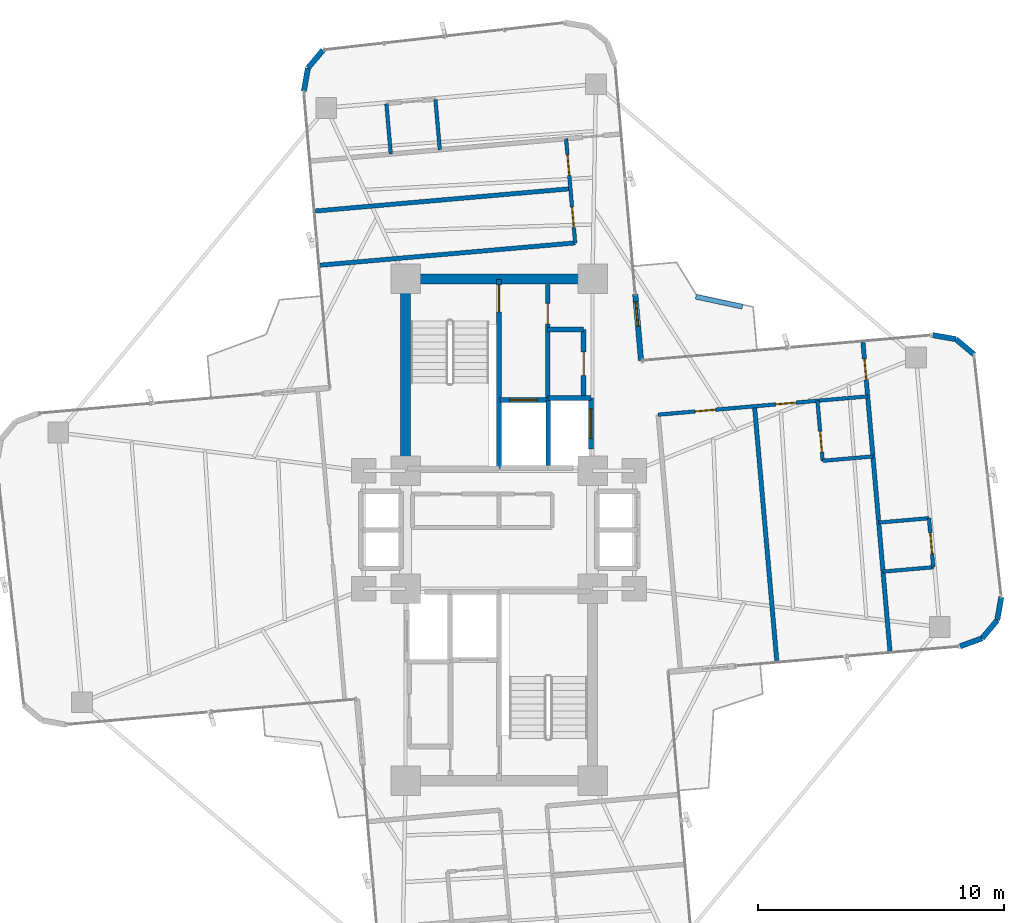
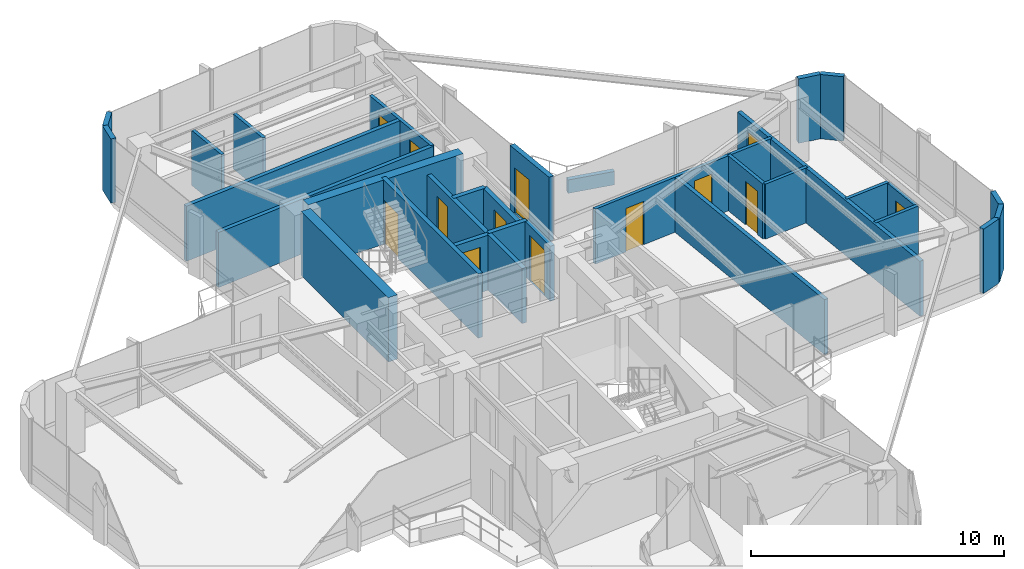
# One storey, part 22 of 24: 32 walls, 13 doors, 13 openings.
"""IFC4 building model written with IfcOpenShell, lengths in metres."""

import ifcopenshell
import ifcopenshell.guid

model = None  # the IFC model being written
_history = None  # IfcOwnerHistory: only IFC2X3 demands one
_inside = {}  # id of a spatial element -> (the spatial element, [elements in it])
_under = {}  # id of a project, library or spatial element -> (it, [spatial elements below it])
_declared = {}  # id of a project -> (the project, [libraries it declares])
_typed = {}  # id of a type object -> (the type object, [elements of that type])
_made_of = {}  # id of a material, layer set ... -> (it, [elements and type objects made of it])


def new_model(schema):
    """Start an empty IFC model of exactly this schema.

    Asked for "IFC4X3", IfcOpenShell would pick the latest addendum, in which some entities
    have other attributes; the version numbers below select the first issue.
    IFC2X3 requires an IfcOwnerHistory on every rooted entity: one is made here for all.
    """
    global model, _history
    if schema == "IFC4X3":
        model = ifcopenshell.file(schema_version=(4, 3, 0, 0))
    else:
        model = ifcopenshell.file(schema=schema)
    _inside.clear()
    _under.clear()
    _declared.clear()
    _typed.clear()
    _made_of.clear()
    _history = None
    if model.schema == "IFC2X3":
        org = make("IfcOrganization", Name="unknown")
        user = make(
            "IfcPersonAndOrganization",
            ThePerson=make("IfcPerson", FamilyName="unknown"),
            TheOrganization=org,
        )
        app = make(
            "IfcApplication",
            ApplicationDeveloper=org,
            Version="unknown",
            ApplicationFullName="unknown",
            ApplicationIdentifier="unknown",
        )
        _history = make(
            "IfcOwnerHistory",
            OwningUser=user,
            OwningApplication=app,
            ChangeAction="ADDED",
            CreationDate=0,
        )
    return model


def make(cls, **values):
    """One entity of the class cls with the attributes given. An attribute that is None is left unset."""
    return model.create_entity(
        cls, **{name: value for name, value in values.items() if value is not None}
    )


def rooted(cls, **values):
    """An entity with a GlobalId (a new one), such as an element, a storey or a relation."""
    return make(cls, GlobalId=ifcopenshell.guid.new(), OwnerHistory=_history, **values)


def si_unit(unit_type, name, prefix=None):
    """IfcSIUnit, for example si_unit("LENGTHUNIT", "METRE", prefix="MILLI")."""
    return make("IfcSIUnit", UnitType=unit_type, Prefix=prefix, Name=name)


def assignment(units):
    """IfcUnitAssignment: the units of a project."""
    return None if units is None else make("IfcUnitAssignment", Units=units)


def point(xyz):
    """IfcCartesianPoint."""
    return None if xyz is None else make("IfcCartesianPoint", Coordinates=xyz)


def direction(xyz):
    """IfcDirection."""
    return None if xyz is None else make("IfcDirection", DirectionRatios=xyz)


def frame(location, z_axis=None, x_axis=None):
    """IfcAxis2Placement3D, a coordinate frame: its origin and axes. An axis left out is left unset."""
    return make(
        "IfcAxis2Placement3D",
        Location=point(location),
        Axis=direction(z_axis),
        RefDirection=direction(x_axis),
    )


def frame_2d(location, x_axis=None):
    """IfcAxis2Placement2D, a coordinate frame in the plane: its origin and x axis."""
    return make(
        "IfcAxis2Placement2D", Location=point(location), RefDirection=direction(x_axis)
    )


def origin():
    """The frame at (0, 0, 0) with its axes left unset."""
    return frame((0.0, 0.0, 0.0))


def origin_2d():
    """The frame at (0, 0) in the plane with its x axis left unset."""
    return frame_2d((0.0, 0.0))


def place(relative_to, where):
    """IfcLocalPlacement: puts the frame where relative to a parent placement (None: the world)."""
    return make(
        "IfcLocalPlacement", PlacementRelTo=relative_to, RelativePlacement=where
    )


def context(
    kind, dimensions, precision=None, world=None, true_north=None, identifier=None
):
    """IfcGeometricRepresentationContext, for example the 3D "Model" context."""
    return make(
        "IfcGeometricRepresentationContext",
        ContextIdentifier=identifier,
        ContextType=kind,
        CoordinateSpaceDimension=dimensions,
        Precision=precision,
        WorldCoordinateSystem=world,
        TrueNorth=true_north,
    )


def subcontext(parent, identifier, kind, view, scale=None):
    """IfcGeometricRepresentationSubContext, for example "Body" below "Model"."""
    return make(
        "IfcGeometricRepresentationSubContext",
        ContextIdentifier=identifier,
        ContextType=kind,
        ParentContext=parent,
        TargetScale=scale,
        TargetView=view,
    )


def project(units=None, contexts=None):
    """IfcProject with its units and contexts."""
    return rooted(
        "IfcProject",
        Name="project",
        RepresentationContexts=contexts,
        UnitsInContext=assignment(units),
    )


def spatial(cls, under=None, at=None, **own):
    """A site, building, storey or space (cls), placed at a placement, below another one or the project."""
    s = rooted(cls, ObjectPlacement=at, **own)
    if under is not None:
        _under.setdefault(under.id(), (under, []))[1].append(s)
    return s


def profile(cls, at=None, kind="AREA", **sizes):
    """A parametric profile (cls). Its sizes go by their IFC names, for example OverallWidth=200.0."""
    return make(cls, ProfileType=kind, Position=at, **sizes)


def rectangle(**sizes):
    """IfcRectangleProfileDef."""
    return profile("IfcRectangleProfileDef", **sizes)


def extrude(swept, where, along, depth):
    """IfcExtrudedAreaSolid: the profile swept, set in the frame where, extruded along a direction by depth."""
    return make(
        "IfcExtrudedAreaSolid",
        SweptArea=swept,
        Position=where,
        ExtrudedDirection=direction(along),
        Depth=depth,
    )


def shape(context_of_items, identifier, shape_type, items):
    """IfcShapeRepresentation: the items that make up one representation, for example the "Body"."""
    return make(
        "IfcShapeRepresentation",
        ContextOfItems=context_of_items,
        RepresentationIdentifier=identifier,
        RepresentationType=shape_type,
        Items=items,
    )


def source(mapping_origin, context_of_items, identifier, shape_type, items):
    """IfcRepresentationMap: a shape defined once, which mapped items show again and again."""
    return make(
        "IfcRepresentationMap",
        MappingOrigin=mapping_origin,
        MappedRepresentation=shape(context_of_items, identifier, shape_type, items),
    )


def transform(
    local_origin,
    x_axis=None,
    y_axis=None,
    z_axis=None,
    scale=None,
    scale2=None,
    scale3=None,
    uniform=True,
):
    """IfcCartesianTransformationOperator3D, or its non-uniform kind. x_axis, y_axis, z_axis: its Axis1, 2, 3."""
    if uniform:
        return make(
            "IfcCartesianTransformationOperator3D",
            Axis1=direction(x_axis),
            Axis2=direction(y_axis),
            LocalOrigin=point(local_origin),
            Scale=scale,
            Axis3=direction(z_axis),
        )
    return make(
        "IfcCartesianTransformationOperator3DnonUniform",
        Axis1=direction(x_axis),
        Axis2=direction(y_axis),
        LocalOrigin=point(local_origin),
        Scale=scale,
        Axis3=direction(z_axis),
        Scale2=scale2,
        Scale3=scale3,
    )


def mapped(mapping_source, mapping_target):
    """IfcMappedItem: shows the shape of a source again, moved by a transform."""
    return make(
        "IfcMappedItem", MappingSource=mapping_source, MappingTarget=mapping_target
    )


def material(Name=None, Category=None):
    """IfcMaterial."""
    return make("IfcMaterial", Name=Name, Category=Category)


def layer(
    of_material, thickness, ventilated=None, Name=None, Category=None, Priority=None
):
    """IfcMaterialLayer: one layer of a wall or slab, of a material (None: an air gap)."""
    return make(
        "IfcMaterialLayer",
        Material=of_material,
        LayerThickness=thickness,
        IsVentilated=ventilated,
        Name=Name,
        Category=Category,
        Priority=Priority,
    )


def layer_set(layers, Name=None):
    """IfcMaterialLayerSet."""
    return make("IfcMaterialLayerSet", MaterialLayers=layers, LayerSetName=Name)


def made_of(thing, what):
    """Note that an element or type object is made of a material, layer set ...; save() writes the relation."""
    if what is not None:
        _made_of.setdefault(what.id(), (what, []))[1].append(thing)
    return thing


def type_object(cls, material=None, **own):
    """A type object (cls), such as IfcWallType, which elements share."""
    return made_of(rooted(cls, **own), material)


def element(
    cls,
    number,
    at=None,
    inside=None,
    cuts=None,
    type_object=None,
    material=None,
    context=None,
    identifier="Body",
    shape_type=None,
    held_by="IfcProductDefinitionShape",
    body=None,
    shapes=None,
    **own,
):
    """One element of the class cls, such as IfcWall. Its Tag is "e" and its number.

    at: its placement. inside: the storey or other place that contains it. cuts: it is an
    opening in that element (IfcRelVoidsElement). A single representation is given by context,
    identifier, shape_type and body (its items); several are given by shapes. held_by: the class
    of the entity that holds the representations. save() writes the other relations.
    """
    e = rooted(cls, Tag="e%d" % number, ObjectPlacement=at, **own)
    if body is not None:
        shapes = [shape(context, identifier, shape_type, body)]
    if shapes is not None:
        e.Representation = make(held_by, Representations=shapes)
    if inside is not None:
        _inside.setdefault(inside.id(), (inside, []))[1].append(e)
    if cuts is not None:
        rooted(
            "IfcRelVoidsElement", RelatingBuildingElement=cuts, RelatedOpeningElement=e
        )
    if type_object is not None:
        _typed.setdefault(type_object.id(), (type_object, []))[1].append(e)
    return made_of(e, material)


def fill(opening, filler):
    """IfcRelFillsElement: the door or window that sits in an opening."""
    return rooted(
        "IfcRelFillsElement",
        RelatingOpeningElement=opening,
        RelatedBuildingElement=filler,
    )


def aggregate(whole, parts):
    """IfcRelAggregates: a whole, such as a stair, and the parts it consists of."""
    return rooted("IfcRelAggregates", RelatingObject=whole, RelatedObjects=parts)


def save(model, path):
    """Write the relations noted so far, then the file.

    IfcRelAggregates (storeys below a building ...), IfcRelContainedInSpatialStructure (elements
    in a storey), IfcRelDefinesByType, IfcRelAssociatesMaterial and IfcRelDeclares: one each for
    every whole, place, type object, material and project.
    """
    for whole, parts in _under.values():
        aggregate(whole, parts)
    for where, things in _inside.values():
        rooted(
            "IfcRelContainedInSpatialStructure",
            RelatedElements=things,
            RelatingStructure=where,
        )
    for kind, things in _typed.values():
        rooted("IfcRelDefinesByType", RelatedObjects=things, RelatingType=kind)
    for what, things in _made_of.values():
        rooted("IfcRelAssociatesMaterial", RelatedObjects=things, RelatingMaterial=what)
    for by, libraries in _declared.values():
        rooted("IfcRelDeclares", RelatingContext=by, RelatedDefinitions=libraries)
    model.write(path)


model = new_model("IFC4")

# Units and contexts
model_context = context("Model", 3, precision=1e-05, world=origin(), true_north=direction((0.0, 1.0)))
body_context = subcontext(model_context, "Body", "Model", "MODEL_VIEW")
ifc_project = project(units=[si_unit("LENGTHUNIT", "METRE"), si_unit("AREAUNIT", "SQUARE_METRE"), si_unit("VOLUMEUNIT", "CUBIC_METRE"), si_unit("PLANEANGLEUNIT", "RADIAN"), si_unit("MASSUNIT", "GRAM", prefix="KILO")], contexts=[model_context])

# Site, building, storey
site_placement = place(None, origin())
site = spatial("IfcSite", under=ifc_project, at=site_placement, CompositionType="ELEMENT")
building_placement = place(site_placement, origin())
building = spatial("IfcBuilding", under=site, at=building_placement, Name="Sahyath Konkavel Grand Hotel", CompositionType="ELEMENT")
storey_placement = place(building_placement, frame((0.0, 0.0, 175.199951171875)))
storey = spatial("IfcBuildingStorey", under=building, at=storey_placement, Name="L48", CompositionType="ELEMENT", Elevation=175.199951171875)

# Walls
ifc_material_1 = material(Name="Concrete C50/60", Category="concrete")
ifc_layer_1 = layer(ifc_material_1, 0.419921875)
ifc_layer_set_1 = layer_set([ifc_layer_1], Name="Concrete C50/60")
wall_type_1 = type_object("IfcWallType", Name="CWALL-420", PredefinedType="SHEAR", material=ifc_layer_set_1)
wall_1_placement = place(storey_placement, frame((-3.550048828125, 10.199951171875, 0.0), z_axis=(0.0, 0.0, 1.0), x_axis=(1.0, 0.0, 0.0)))
element("IfcWall", 1, at=wall_1_placement, inside=storey, type_object=wall_type_1, Name="L48 North Core Shear Wall N", PredefinedType="SHEAR", context=body_context, shape_type="SweptSolid", body=[
    extrude(rectangle(XDim=7.10009765625, YDim=0.419921875, at=frame_2d((3.550048828125, 0.0))), origin(), (0.0, 0.0, 1.0), 3.110107421875),
])
wall_2_placement = place(storey_placement, frame((-3.800048828125, 2.85009765625, 0.0), z_axis=(0.0, 0.0, 1.0), x_axis=(0.0, 1.0, 0.0)))
element("IfcWall", 2, at=wall_2_placement, inside=storey, type_object=wall_type_1, Name="L48 North Core Shear Wall W", PredefinedType="SHEAR", context=body_context, shape_type="SweptSolid", body=[
    extrude(rectangle(XDim=6.89990234375, YDim=0.419921875, at=frame_2d((3.449951171875, 0.0))), origin(), (0.0, 0.0, 1.0), 3.110107421875),
])
ifc_material_2 = material(Name="Warm Buff Sandstone Insulated Concrete C40/50", Category="masonry")
ifc_layer_2 = layer(ifc_material_2, 0.219970703125)
ifc_layer_set_2 = layer_set([ifc_layer_2], Name="Warm Buff Sandstone Insulated Concrete C40/50")
wall_type_2 = type_object("IfcWallType", Name="WLL-BALC-THRESH", PredefinedType="STANDARD", material=ifc_layer_set_2)
wall_3_placement = place(storey_placement, frame((18.73388671875, -4.735107421875, 0.0), z_axis=(0.0, 0.0, 1.0), x_axis=(0.939741306239, 0.34188635151, 0.0)))
element("IfcWall", 3, at=wall_3_placement, inside=storey, type_object=wall_type_2, Name="L48 Rounded Corner Sandstone Pier 1", PredefinedType="STANDARD", context=body_context, shape_type="SweptSolid", body=[
    extrude(rectangle(XDim=0.95751953125, YDim=0.219970703125, at=frame_2d((0.478759765625, 0.0))), origin(), (0.0, 0.0, 1.0), 3.110107421875),
])
for number, where, z_axis, x_axis, name in (
    (4, (19.6337890625, -4.40771484375, 0.0), (0.0, 0.0, 1.0), (0.642863236823, 0.765980978054, 0.0), "L48 Rounded Corner Sandstone Pier 2"),
    (5, (20.24951171875, -3.674072265625, 0.0), (0.0, 0.0, 1.0), (0.173610811841, 0.984814340885, 0.0), "L48 Rounded Corner Sandstone Pier 3"),
):
    element("IfcWall", number, at=place(storey_placement, frame(where, z_axis=z_axis, x_axis=x_axis)), inside=storey, type_object=wall_type_2, Name=name, PredefinedType="STANDARD", context=body_context, shape_type="SweptSolid", body=[
        extrude(rectangle(XDim=0.957763671875, YDim=0.219970703125, at=frame_2d((0.47900390625, 0.0))), origin(), (0.0, 0.0, 1.0), 3.110107421875),
    ])
wall_4_placement = place(storey_placement, frame((19.3037109375, 7.134521484375, 0.0), z_axis=(0.0, 0.0, 1.0), x_axis=(-0.766001159887, 0.642839189107, 0.0)))
element("IfcWall", 6, at=wall_4_placement, inside=storey, type_object=wall_type_2, Name="L48 Rounded Corner Sandstone Pier 5", PredefinedType="STANDARD", context=body_context, shape_type="SweptSolid", body=[
    extrude(rectangle(XDim=0.95751953125, YDim=0.219970703125, at=frame_2d((0.478759765625, 0.0))), origin(), (0.0, 0.0, 1.0), 3.110107421875),
])
wall_5_placement = place(storey_placement, frame((18.5703125, 7.75, 0.0), z_axis=(0.0, 0.0, 1.0), x_axis=(-0.984770724397, 0.173858046606, 0.0)))
element("IfcWall", 7, at=wall_5_placement, inside=storey, type_object=wall_type_2, Name="L48 Rounded Corner Sandstone Pier 6", PredefinedType="STANDARD", context=body_context, shape_type="SweptSolid", body=[
    extrude(rectangle(XDim=0.957763671875, YDim=0.219970703125, at=frame_2d((0.47900390625, 0.0))), origin(), (0.0, 0.0, 1.0), 3.110107421875),
])

# Wall, opening, door
wall_6_placement = place(storey_placement, frame((5.7724609375, 6.87939453125, 0.0), z_axis=(0.0, 0.0, 1.0), x_axis=(-0.087168071984, 0.996193619346, 0.0)))
wall_6 = element("IfcWall", 8, at=wall_6_placement, inside=storey, type_object=wall_type_2, Name="L48 Winter-Garden Threshold Wall 8", PredefinedType="STANDARD", context=body_context, shape_type="SweptSolid", body=[
    extrude(rectangle(XDim=2.699951171875, YDim=0.219970703125, at=frame_2d((1.35009765625, 0.0))), origin(), (0.0, 0.0, 1.0), 3.110107421875),
])
opening_1_placement = place(wall_6_placement, frame((1.39990234375, 0.0, 0.0)))
opening_1 = element("IfcOpeningElement", 9, at=opening_1_placement, cuts=wall_6, Name="Opening D-TR1", PredefinedType="OPENING", context=body_context, shape_type="SweptSolid", body=[
    extrude(rectangle(XDim=1.0, YDim=2.199951171875, at=frame_2d((0.5, 1.10009765625))), frame((0.0, 0.1201171875, 0.0), z_axis=(0.0, -1.0, 0.0), x_axis=(1.0, 0.0, 0.0)), (0.0, 0.0, 1.0), 0.239990234375),
])
ifc_material_3 = material(Name="Anodised Bronze Aluminium & Low-E Glazing", Category="aluminium")
door_type_1 = type_object("IfcDoorType", Name="DR-TERRACE-1000", OperationType="NOTDEFINED", PredefinedType="DOOR", material=ifc_material_3)
shared_shape_1 = source(origin(), body_context, "Body", "SweptSolid", [
    extrude(rectangle(XDim=1.0, YDim=0.050048828125, at=origin_2d()), origin(), (0.0, 0.0, 1.0), 2.199951171875),
])
door_1_placement = place(opening_1_placement, frame((0.5, 0.0, 0.0)))
door_1 = element("IfcDoor", 10, at=door_1_placement, inside=storey, type_object=door_type_1, Name="L48 Winter-Garden Terrace Door 8", OperationType="SINGLE_SWING_LEFT", OverallHeight=2.199951171875, OverallWidth=1.0, PredefinedType="DOOR", context=body_context, shape_type="MappedRepresentation", body=[
    mapped(shared_shape_1, transform((0.0, 0.0, 0.0), scale=1.0)),
])
fill(opening_1, door_1)

# Walls
for number, where, z_axis, x_axis, name in (
    (11, (-7.152099609375, 19.5029296875, 0.0), (0.0, 0.0, 1.0), (-0.642713642115, -0.766106503196, 0.0), "L48 Rounded Corner Sandstone Pier 13"),
    (12, (-7.767578125, 18.769287109375, 0.0), (0.0, 0.0, 1.0), (-0.173654409999, -0.984806654064, 0.0), "L48 Rounded Corner Sandstone Pier 14"),
):
    element("IfcWall", number, at=place(storey_placement, frame(where, z_axis=z_axis, x_axis=x_axis)), inside=storey, type_object=wall_type_2, Name=name, PredefinedType="STANDARD", context=body_context, shape_type="SweptSolid", body=[
        extrude(rectangle(XDim=0.95751953125, YDim=0.219970703125, at=frame_2d((0.478759765625, 0.0))), origin(), (0.0, 0.0, 1.0), 3.110107421875),
    ])

# Wall, opening, door
ifc_material_4 = material(Name="Concrete C40/50", Category="concrete")
ifc_layer_3 = layer(ifc_material_4, 0.199951171875)
ifc_layer_set_3 = layer_set([ifc_layer_3], Name="Concrete C40/50")
wall_type_3 = type_object("IfcWallType", Name="WLL-CORE-200", PredefinedType="SOLIDWALL", material=ifc_layer_set_3)
wall_7_placement = place(storey_placement, frame((0.0, 2.5, 0.0), z_axis=(0.0, 0.0, 1.0), x_axis=(0.0, 1.0, 0.0)))
wall_7 = element("IfcWall", 13, at=wall_7_placement, inside=storey, type_object=wall_type_3, Name="L48 Stair ST-1 Shaft Wall E", PredefinedType="SOLIDWALL", context=body_context, shape_type="SweptSolid", body=[
    extrude(rectangle(XDim=7.679931640625, YDim=0.199951171875, at=frame_2d((3.83984375, 0.0))), origin(), (0.0, 0.0, 1.0), 3.110107421875),
])
opening_2_placement = place(wall_7_placement, frame((6.360107421875, 0.0, 0.0)))
opening_2 = element("IfcOpeningElement", 14, at=opening_2_placement, cuts=wall_7, Name="Opening D-F12B", PredefinedType="OPENING", context=body_context, shape_type="SweptSolid", body=[
    extrude(rectangle(XDim=1.10009765625, YDim=2.14990234375, at=frame_2d((0.550048828125, 1.074951171875))), frame((0.0, 0.10986328125, 0.0), z_axis=(0.0, -1.0, 0.0), x_axis=(1.0, 0.0, 0.0)), (0.0, 0.0, 1.0), 0.219970703125),
])
ifc_material_5 = material(Name="Steel E350 Smokeproof Fire Door", Category="steel")
door_type_2 = type_object("IfcDoorType", Name="DR-FD120-1100", OperationType="NOTDEFINED", PredefinedType="DOOR", material=ifc_material_5)
shared_shape_2 = source(origin(), body_context, "Body", "SweptSolid", [
    extrude(rectangle(XDim=1.10009765625, YDim=0.050048828125, at=origin_2d()), origin(), (0.0, 0.0, 1.0), 2.14990234375),
])
door_2_placement = place(opening_2_placement, frame((0.550048828125, 0.0, 0.0)))
door_2 = element("IfcDoor", 15, at=door_2_placement, inside=storey, type_object=door_type_2, Name="L48 Stair ST-1 Fire Door", OperationType="SINGLE_SWING_RIGHT", OverallHeight=2.14990234375, OverallWidth=1.10009765625, PredefinedType="DOOR", context=body_context, shape_type="MappedRepresentation", body=[
    mapped(shared_shape_2, transform((0.0, 0.0, 0.0), scale=1.0)),
])
fill(opening_2, door_2)

wall_8_placement = place(storey_placement, frame((1.97998046875, 5.320068359375, 0.0), z_axis=(0.0, 0.0, 1.0), x_axis=(0.0, 1.0, 0.0)))
wall_8 = element("IfcWall", 16, at=wall_8_placement, inside=storey, type_object=wall_type_3, Name="L48 North Firefighting Lobby Wall E", PredefinedType="SOLIDWALL", context=body_context, shape_type="SweptSolid", body=[
    extrude(rectangle(XDim=4.659912109375, YDim=0.199951171875, at=frame_2d((2.330078125, 0.0))), origin(), (0.0, 0.0, 1.0), 2.66015625),
])
opening_3_placement = place(wall_8_placement, frame((3.0400390625, 0.0, 0.0)))
opening_3 = element("IfcOpeningElement", 17, at=opening_3_placement, cuts=wall_8, Name="Opening D-F12D", PredefinedType="OPENING", context=body_context, shape_type="SweptSolid", body=[
    extrude(rectangle(XDim=0.85009765625, YDim=2.10009765625, at=frame_2d((0.425048828125, 1.050048828125))), frame((0.0, 0.10986328125, 0.0), z_axis=(0.0, -1.0, 0.0), x_axis=(1.0, 0.0, 0.0)), (0.0, 0.0, 1.0), 0.219970703125),
])
ifc_material_6 = material(Name="Steel E350 Core Fire Door", Category="steel")
door_type_3 = type_object("IfcDoorType", Name="DR-FD120-850", OperationType="NOTDEFINED", PredefinedType="DOOR", material=ifc_material_6)
shared_shape_3 = source(origin(), body_context, "Body", "SweptSolid", [
    extrude(rectangle(XDim=0.85009765625, YDim=0.050048828125, at=origin_2d()), origin(), (0.0, 0.0, 1.0), 2.10009765625),
])
door_3_placement = place(opening_3_placement, frame((0.425048828125, 0.0, 0.0)))
door_3 = element("IfcDoor", 18, at=door_3_placement, inside=storey, type_object=door_type_3, Name="L48 North Firefighting Lobby Door", OperationType="SINGLE_SWING_RIGHT", OverallHeight=2.10009765625, OverallWidth=0.85009765625, PredefinedType="DOOR", context=body_context, shape_type="MappedRepresentation", body=[
    mapped(shared_shape_3, transform((0.0, 0.0, 0.0), scale=1.0)),
])
fill(opening_3, door_3)

# Wall
wall_9_placement = place(storey_placement, frame((2.0, 2.5, 0.0), z_axis=(0.0, 0.0, 1.0), x_axis=(0.0, 1.0, 0.0)))
element("IfcWall", 19, at=wall_9_placement, inside=storey, type_object=wall_type_3, Name="L48 Partition SH-FFL1-E", PredefinedType="SOLIDWALL", context=body_context, shape_type="SweptSolid", body=[
    extrude(rectangle(XDim=2.780029296875, YDim=0.199951171875, at=frame_2d((1.39013671875, 0.0))), origin(), (0.0, 0.0, 1.0), 2.66015625),
])

# Wall, opening, door
wall_10_placement = place(storey_placement, frame((0.050048828125, 5.280029296875, 0.0), z_axis=(0.0, 0.0, 1.0), x_axis=(1.0, 0.0, 0.0)))
wall_10 = element("IfcWall", 20, at=wall_10_placement, inside=storey, type_object=wall_type_3, Name="L48 Partition SH-FFL1-N", PredefinedType="SOLIDWALL", context=body_context, shape_type="SweptSolid", body=[
    extrude(rectangle(XDim=1.929931640625, YDim=0.199951171875, at=frame_2d((0.96484375, 0.0))), origin(), (0.0, 0.0, 1.0), 2.66015625),
])
opening_4_placement = place(wall_10_placement, frame((0.39990234375, 0.0, 0.0)))
opening_4 = element("IfcOpeningElement", 21, at=opening_4_placement, cuts=wall_10, Name="Opening LD-11", PredefinedType="OPENING", context=body_context, shape_type="SweptSolid", body=[
    extrude(rectangle(XDim=1.10009765625, YDim=2.199951171875, at=frame_2d((0.550048828125, 1.10009765625))), frame((0.0, 0.10986328125, 0.0), z_axis=(0.0, -1.0, 0.0), x_axis=(1.0, 0.0, 0.0)), (0.0, 0.0, 1.0), 0.219970703125),
])
ifc_material_7 = material(Name="Bronze Lift Landing Door 1100")
door_type_4 = type_object("IfcDoorType", Name="DR-LIFT-1100", OperationType="DOUBLE_DOOR_SLIDING", PredefinedType="DOOR", material=ifc_material_7)
shared_shape_4 = source(origin(), body_context, "Body", "SweptSolid", [
    extrude(rectangle(XDim=1.10009765625, YDim=0.050048828125, at=origin_2d()), origin(), (0.0, 0.0, 1.0), 2.199951171875),
])
door_4_placement = place(opening_4_placement, frame((0.550048828125, 0.0, 0.0)))
door_4 = element("IfcDoor", 22, at=door_4_placement, inside=storey, type_object=door_type_4, Name="L48 Lift FFL-1 Landing Door", OperationType="DOUBLE_DOOR_SLIDING", OverallHeight=2.199951171875, OverallWidth=1.10009765625, PredefinedType="DOOR", context=body_context, shape_type="MappedRepresentation", body=[
    mapped(shared_shape_4, transform((0.0, 0.0, 0.0), scale=1.0)),
])
fill(opening_4, door_4)

# Wall
wall_11_placement = place(storey_placement, frame((2.0, 5.360107421875, 0.0), z_axis=(0.0, 0.0, 1.0), x_axis=(1.0, 0.0, 0.0)))
element("IfcWall", 23, at=wall_11_placement, inside=storey, type_object=wall_type_3, Name="L48 Partition SH-SVL1-N", PredefinedType="SOLIDWALL", context=body_context, shape_type="SweptSolid", body=[
    extrude(rectangle(XDim=1.739990234375, YDim=0.199951171875, at=frame_2d((0.8701171875, 0.0))), origin(), (0.0, 0.0, 1.0), 2.66015625),
])

# Wall, opening, door
wall_12_placement = place(storey_placement, frame((3.739990234375, 3.280029296875, 0.0), z_axis=(0.0, 0.0, 1.0), x_axis=(0.0, 1.0, 0.0)))
wall_12 = element("IfcWall", 24, at=wall_12_placement, inside=storey, type_object=wall_type_3, Name="L48 Partition SH-SVL1-E", PredefinedType="SOLIDWALL", context=body_context, shape_type="SweptSolid", body=[
    extrude(rectangle(XDim=2.080078125, YDim=0.199951171875, at=frame_2d((1.0400390625, 0.0))), origin(), (0.0, 0.0, 1.0), 2.66015625),
])
opening_5_placement = place(wall_12_placement, frame((0.43994140625, 0.0, 0.0)))
opening_5 = element("IfcOpeningElement", 25, at=opening_5_placement, cuts=wall_12, Name="Opening LD-12", PredefinedType="OPENING", context=body_context, shape_type="SweptSolid", body=[
    extrude(rectangle(XDim=1.199951171875, YDim=2.199951171875, at=frame_2d((0.60009765625, 1.10009765625))), frame((0.0, 0.10986328125, 0.0), z_axis=(0.0, -1.0, 0.0), x_axis=(1.0, 0.0, 0.0)), (0.0, 0.0, 1.0), 0.219970703125),
])
ifc_material_8 = material(Name="Stainless Steel Lift Landing Door 1200", Category="steel")
door_type_5 = type_object("IfcDoorType", Name="DR-LIFT-1200", OperationType="DOUBLE_DOOR_SLIDING", PredefinedType="DOOR", material=ifc_material_8)
shared_shape_5 = source(origin(), body_context, "Body", "SweptSolid", [
    extrude(rectangle(XDim=1.199951171875, YDim=0.050048828125, at=origin_2d()), origin(), (0.0, 0.0, 1.0), 2.199951171875),
])
door_5_placement = place(opening_5_placement, frame((0.60009765625, 0.0, 0.0)))
door_5 = element("IfcDoor", 26, at=door_5_placement, inside=storey, type_object=door_type_5, Name="L48 Service Lift SVL-1 Landing Door", OperationType="DOUBLE_DOOR_SLIDING", OverallHeight=2.199951171875, OverallWidth=1.199951171875, PredefinedType="DOOR", context=body_context, shape_type="MappedRepresentation", body=[
    mapped(shared_shape_5, transform((0.0, 0.0, 0.0), scale=1.0)),
])
fill(opening_5, door_5)

wall_13_placement = place(storey_placement, frame((3.43994140625, 5.3798828125, 0.0), z_axis=(0.0, 0.0, 1.0), x_axis=(0.0, 1.0, 0.0)))
wall_13 = element("IfcWall", 27, at=wall_13_placement, inside=storey, type_object=wall_type_3, Name="L48 Reclaimed North Core Wall E", PredefinedType="SOLIDWALL", context=body_context, shape_type="SweptSolid", body=[
    extrude(rectangle(XDim=2.77001953125, YDim=0.199951171875, at=frame_2d((1.385009765625, 0.0))), origin(), (0.0, 0.0, 1.0), 2.66015625),
])
opening_6_placement = place(wall_13_placement, frame((0.89990234375, 0.0, 0.0)))
opening_6 = element("IfcOpeningElement", 28, at=opening_6_placement, cuts=wall_13, Name="Opening D-F06B", PredefinedType="OPENING", context=body_context, shape_type="SweptSolid", body=[
    extrude(rectangle(XDim=0.949951171875, YDim=2.14990234375, at=frame_2d((0.47509765625, 1.074951171875))), frame((0.0, 0.10986328125, 0.0), z_axis=(0.0, -1.0, 0.0), x_axis=(1.0, 0.0, 0.0)), (0.0, 0.0, 1.0), 0.219970703125),
])
ifc_material_9 = material(Name="Teak Veneer Fire-Rated Guest Entrance Door")
door_type_6 = type_object("IfcDoorType", Name="DR-FD60-950", OperationType="NOTDEFINED", PredefinedType="DOOR", material=ifc_material_9)
shared_shape_6 = source(origin(), body_context, "Body", "SweptSolid", [
    extrude(rectangle(XDim=0.949951171875, YDim=0.050048828125, at=origin_2d()), origin(), (0.0, 0.0, 1.0), 2.14990234375),
])
door_6_placement = place(opening_6_placement, frame((0.47509765625, 0.0, 0.0)))
door_6 = element("IfcDoor", 29, at=door_6_placement, inside=storey, type_object=door_type_6, Name="L48 Door NC-REC1-D", OperationType="SINGLE_SWING_RIGHT", OverallHeight=2.14990234375, OverallWidth=0.949951171875, PredefinedType="DOOR", context=body_context, shape_type="MappedRepresentation", body=[
    mapped(shared_shape_6, transform((0.0, 0.0, 0.0), scale=1.0)),
])
fill(opening_6, door_6)

# Walls
wall_14_placement = place(storey_placement, frame((1.97998046875, 8.14990234375, 0.0), z_axis=(0.0, 0.0, 1.0), x_axis=(1.0, 0.0, 0.0)))
element("IfcWall", 30, at=wall_14_placement, inside=storey, type_object=wall_type_3, Name="L48 Partition NC-REC-N", PredefinedType="SOLIDWALL", context=body_context, shape_type="SweptSolid", body=[
    extrude(rectangle(XDim=1.4599609375, YDim=0.199951171875, at=frame_2d((0.72998046875, 0.0))), origin(), (0.0, 0.0, 1.0), 2.66015625),
])
ifc_material_10 = material(Name="Twin-Stud Acoustic Gypsum Plasterboard Partition")
ifc_layer_4 = layer(ifc_material_10, 0.179931640625)
ifc_layer_set_4 = layer_set([ifc_layer_4], Name="Twin-Stud Acoustic Gypsum Plasterboard Partition")
wall_type_4 = type_object("IfcWallType", Name="WLL-DEMISE-180", PredefinedType="PARTITIONING", material=ifc_layer_set_4)
wall_15_placement = place(storey_placement, frame((10.384521484375, 5.024169921875, 0.0), z_axis=(0.0, 0.0, 1.0), x_axis=(0.087163455754, -0.996194023261, 0.0)))
element("IfcWall", 31, at=wall_15_placement, inside=storey, type_object=wall_type_4, Name="L48 Partition E-ED1-DEM", PredefinedType="PARTITIONING", context=body_context, shape_type="SweptSolid", body=[
    extrude(rectangle(XDim=10.39990234375, YDim=0.179931640625, at=frame_2d((5.199951171875, 0.0))), origin(), (0.0, 0.0, 1.0), 2.66015625),
])

# Wall, opening, door
wall_16_placement = place(storey_placement, frame((15.890380859375, -4.933837890625, 0.0), z_axis=(0.0, 0.0, 1.0), x_axis=(-0.087154691724, 0.996194790044, 0.0)))
wall_16 = element("IfcWall", 32, at=wall_16_placement, inside=storey, type_object=wall_type_4, Name="L48 Partition E-ETIP-END", PredefinedType="PARTITIONING", context=body_context, shape_type="SweptSolid", body=[
    extrude(rectangle(XDim=12.599853515625, YDim=0.179931640625, at=frame_2d((6.2998046875, 0.0))), origin(), (0.0, 0.0, 1.0), 2.66015625),
])
opening_7_placement = place(wall_16_placement, frame((11.074951171875, 0.0, 0.0)))
opening_7 = element("IfcOpeningElement", 33, at=opening_7_placement, cuts=wall_16, Name="Opening D-F06D", PredefinedType="OPENING", context=body_context, shape_type="SweptSolid", body=[
    extrude(rectangle(XDim=0.85009765625, YDim=2.10009765625, at=frame_2d((0.425048828125, 1.050048828125))), frame((0.0, 0.10009765625, 0.0), z_axis=(0.0, -1.0, 0.0), x_axis=(1.0, 0.0, 0.0)), (0.0, 0.0, 1.0), 0.199951171875),
])
ifc_material_11 = material(Name="Fire-Rated Shaft Access Door")
door_type_7 = type_object("IfcDoorType", Name="DR-FD60-850", OperationType="NOTDEFINED", PredefinedType="DOOR", material=ifc_material_11)
door_7_placement = place(opening_7_placement, frame((0.425048828125, 0.0, 0.0)))
door_7 = element("IfcDoor", 34, at=door_7_placement, inside=storey, type_object=door_type_7, Name="L48 Door E-ETIP-ED", OperationType="SINGLE_SWING_RIGHT", OverallHeight=2.10009765625, OverallWidth=0.85009765625, PredefinedType="DOOR", context=body_context, shape_type="MappedRepresentation", body=[
    mapped(shared_shape_3, transform((0.0, 0.0, 0.0), scale=1.0)),
])
fill(opening_7, door_7)

# Walls
wall_17_placement = place(storey_placement, frame((3.09521484375, 11.6640625, 0.0), z_axis=(0.0, 0.0, 1.0), x_axis=(-0.996196061386, -0.087140158824, 0.0)))
element("IfcWall", 35, at=wall_17_placement, inside=storey, type_object=wall_type_4, Name="L48 Partition N-G6I", PredefinedType="PARTITIONING", context=body_context, shape_type="SweptSolid", body=[
    extrude(rectangle(XDim=10.39990234375, YDim=0.179931640625, at=frame_2d((5.199951171875, 0.0))), origin(), (0.0, 0.0, 1.0), 2.66015625),
])
wall_18_placement = place(storey_placement, frame((2.902587890625, 13.86572265625, 0.0), z_axis=(0.0, 0.0, 1.0), x_axis=(-0.996194201607, -0.087161417409, 0.0)))
element("IfcWall", 36, at=wall_18_placement, inside=storey, type_object=wall_type_4, Name="L48 Partition N-NSL6-DEM", PredefinedType="PARTITIONING", context=body_context, shape_type="SweptSolid", body=[
    extrude(rectangle(XDim=10.400146484375, YDim=0.179931640625, at=frame_2d((5.2001953125, 0.0))), origin(), (0.0, 0.0, 1.0), 2.66015625),
])

# Wall, openings, doors
ifc_material_12 = material(Name="Fire-Rated Gypsum Plasterboard Partition")
ifc_layer_5 = layer(ifc_material_12, 0.14990234375)
ifc_layer_set_5 = layer_set([ifc_layer_5], Name="Fire-Rated Gypsum Plasterboard Partition")
wall_type_5 = type_object("IfcWallType", Name="WLL-PART-150", PredefinedType="PARTITIONING", material=ifc_layer_set_5)
wall_19_placement = place(storey_placement, frame((6.466552734375, 4.681396484375, 0.0), z_axis=(0.0, 0.0, 1.0), x_axis=(0.996195452949, 0.087147114263, 0.0)))
wall_19 = element("IfcWall", 37, at=wall_19_placement, inside=storey, type_object=wall_type_5, Name="L48 Partition E-G5W", PredefinedType="PARTITIONING", context=body_context, shape_type="SweptSolid", body=[
    extrude(rectangle(XDim=8.550048828125, YDim=0.14990234375, at=frame_2d((4.27490234375, 0.0))), origin(), (0.0, 0.0, 1.0), 2.66015625),
])
opening_8_placement = place(wall_19_placement, frame((1.490966796875, 0.0, 0.0)))
opening_8 = element("IfcOpeningElement", 38, at=opening_8_placement, cuts=wall_19, Name="Opening D-F06D", PredefinedType="OPENING", context=body_context, shape_type="SweptSolid", body=[
    extrude(rectangle(XDim=0.85009765625, YDim=2.10009765625, at=frame_2d((0.425048828125, 1.050048828125))), frame((0.0, 0.0849609375, 0.0), z_axis=(0.0, -1.0, 0.0), x_axis=(1.0, 0.0, 0.0)), (0.0, 0.0, 1.0), 0.169921875),
])
opening_9_placement = place(wall_19_placement, frame((4.7919921875, 0.0, 0.0)))
opening_9 = element("IfcOpeningElement", 39, at=opening_9_placement, cuts=wall_19, Name="Opening D-F06D", PredefinedType="OPENING", context=body_context, shape_type="SweptSolid", body=[
    extrude(rectangle(XDim=0.85009765625, YDim=2.10009765625, at=frame_2d((0.425048828125, 1.050048828125))), frame((0.0, 0.0849609375, 0.0), z_axis=(0.0, -1.0, 0.0), x_axis=(1.0, 0.0, 0.0)), (0.0, 0.0, 1.0), 0.169921875),
])
door_8_placement = place(opening_8_placement, frame((0.425048828125, 0.0, 0.0)))
door_8 = element("IfcDoor", 40, at=door_8_placement, inside=storey, type_object=door_type_7, Name="L48 Door E-ED1-D", OperationType="SINGLE_SWING_RIGHT", OverallHeight=2.10009765625, OverallWidth=0.85009765625, PredefinedType="DOOR", context=body_context, shape_type="MappedRepresentation", body=[
    mapped(shared_shape_3, transform((0.0, 0.0, 0.0), scale=1.0)),
])
fill(opening_8, door_8)
door_9_placement = place(opening_9_placement, frame((0.425048828125, 0.0, 0.0)))
door_9 = element("IfcDoor", 41, at=door_9_placement, inside=storey, type_object=door_type_7, Name="L48 Door E-ED2-ED", OperationType="SINGLE_SWING_RIGHT", OverallHeight=2.10009765625, OverallWidth=0.85009765625, PredefinedType="DOOR", context=body_context, shape_type="MappedRepresentation", body=[
    mapped(shared_shape_3, transform((0.0, 0.0, 0.0), scale=1.0)),
])
fill(opening_9, door_9)

# Wall, opening, door
wall_20_placement = place(storey_placement, frame((12.94189453125, 5.247802734375, 0.0), z_axis=(0.0, 0.0, 1.0), x_axis=(0.087201565829, -0.99619068803, 0.0)))
wall_20 = element("IfcWall", 42, at=wall_20_placement, inside=storey, type_object=wall_type_5, Name="L48 Partition E-ED2-BS", PredefinedType="PARTITIONING", context=body_context, shape_type="SweptSolid", body=[
    extrude(rectangle(XDim=2.44970703125, YDim=0.14990234375, at=frame_2d((1.224853515625, 0.0))), origin(), (0.0, 0.0, 1.0), 2.66015625),
])
opening_10_placement = place(wall_20_placement, frame((1.25, 0.0, 0.0)))
opening_10 = element("IfcOpeningElement", 43, at=opening_10_placement, cuts=wall_20, Name="Opening D-BT85", PredefinedType="OPENING", context=body_context, shape_type="SweptSolid", body=[
    extrude(rectangle(XDim=0.85009765625, YDim=2.10009765625, at=frame_2d((0.425048828125, 1.050048828125))), frame((0.0, 0.0849609375, 0.0), z_axis=(0.0, -1.0, 0.0), x_axis=(1.0, 0.0, 0.0)), (0.0, 0.0, 1.0), 0.169921875),
])
ifc_material_13 = material(Name="Moisture-Resistant Teak Bathroom Door")
door_type_8 = type_object("IfcDoorType", Name="DR-BATH-850", OperationType="NOTDEFINED", PredefinedType="DOOR", material=ifc_material_13)
door_10_placement = place(opening_10_placement, frame((0.425048828125, 0.0, 0.0)))
door_10 = element("IfcDoor", 44, at=door_10_placement, inside=storey, type_object=door_type_8, Name="L48 Door E-ED2-BD", OperationType="SINGLE_SWING_LEFT", OverallHeight=2.10009765625, OverallWidth=0.85009765625, PredefinedType="DOOR", context=body_context, shape_type="MappedRepresentation", body=[
    mapped(shared_shape_3, transform((0.0, 0.0, 0.0), scale=1.0)),
])
fill(opening_10, door_10)

# Walls
wall_21_placement = place(storey_placement, frame((13.155517578125, 2.807373046875, 0.0), z_axis=(0.0, 0.0, 1.0), x_axis=(0.99620250363, 0.087066478976, 0.0)))
element("IfcWall", 45, at=wall_21_placement, inside=storey, type_object=wall_type_5, Name="L48 Partition E-ED2-BF", PredefinedType="PARTITIONING", context=body_context, shape_type="SweptSolid", body=[
    extrude(rectangle(XDim=2.0498046875, YDim=0.14990234375, at=frame_2d((1.02490234375, 0.0))), origin(), (0.0, 0.0, 1.0), 2.66015625),
])
for number, where, z_axis, x_axis, name in (
    (46, (15.432861328125, 0.296142578125, 0.0), (0.0, 0.0, 1.0), (0.99619307114, 0.087174336889, 0.0), "L48 Partition E-ETIP-BN"),
    (47, (15.607177734375, -1.6962890625, 0.0), (0.0, 0.0, 1.0), (0.99619307114, 0.087174336889, 0.0), "L48 Partition E-ETIP-BS"),
):
    element("IfcWall", number, at=place(storey_placement, frame(where, z_axis=z_axis, x_axis=x_axis)), inside=storey, type_object=wall_type_5, Name=name, PredefinedType="PARTITIONING", context=body_context, shape_type="SweptSolid", body=[
        extrude(rectangle(XDim=2.050048828125, YDim=0.14990234375, at=frame_2d((1.02490234375, 0.0))), origin(), (0.0, 0.0, 1.0), 2.66015625),
    ])

# Wall, opening, door
wall_22_placement = place(storey_placement, frame((17.6494140625, -1.517578125, 0.0), z_axis=(0.0, 0.0, 1.0), x_axis=(-0.087156350505, 0.99619464492, 0.0)))
wall_22 = element("IfcWall", 48, at=wall_22_placement, inside=storey, type_object=wall_type_5, Name="L48 Partition E-ETIP-BE", PredefinedType="PARTITIONING", context=body_context, shape_type="SweptSolid", body=[
    extrude(rectangle(XDim=2.0, YDim=0.14990234375, at=frame_2d((1.0, 0.0))), origin(), (0.0, 0.0, 1.0), 2.630126953125),
])
opening_11_placement = place(wall_22_placement, frame((0.550048828125, 0.0, 0.0)))
opening_11 = element("IfcOpeningElement", 49, at=opening_11_placement, cuts=wall_22, Name="Opening D-BT85", PredefinedType="OPENING", context=body_context, shape_type="SweptSolid", body=[
    extrude(rectangle(XDim=0.85009765625, YDim=2.10009765625, at=frame_2d((0.425048828125, 1.050048828125))), frame((0.0, 0.0849609375, 0.0), z_axis=(0.0, -1.0, 0.0), x_axis=(1.0, 0.0, 0.0)), (0.0, 0.0, 1.0), 0.169921875),
])
door_11_placement = place(opening_11_placement, frame((0.425048828125, 0.0, 0.0)))
door_11 = element("IfcDoor", 50, at=door_11_placement, inside=storey, type_object=door_type_8, Name="L48 Door E-ETIP-BD", OperationType="SINGLE_SWING_LEFT", OverallHeight=2.10009765625, OverallWidth=0.85009765625, PredefinedType="DOOR", context=body_context, shape_type="MappedRepresentation", body=[
    mapped(shared_shape_3, transform((0.0, 0.0, 0.0), scale=1.0)),
])
fill(opening_11, door_11)

# Wall, openings, doors
wall_23_placement = place(storey_placement, frame((3.09521484375, 11.6640625, 0.0), z_axis=(0.0, 0.0, 1.0), x_axis=(-0.087142722004, 0.996195837173, 0.0)))
wall_23 = element("IfcWall", 51, at=wall_23_placement, inside=storey, type_object=wall_type_5, Name="L48 Partition N-G6W", PredefinedType="PARTITIONING", context=body_context, shape_type="SweptSolid", body=[
    extrude(rectangle(XDim=4.25, YDim=0.14990234375, at=frame_2d((2.125, 0.0))), origin(), (0.0, 0.0, 1.0), 2.66015625),
])
opening_12_placement = place(wall_23_placement, frame((0.6298828125, 0.0, 0.0)))
opening_12 = element("IfcOpeningElement", 52, at=opening_12_placement, cuts=wall_23, Name="Opening D-F06D", PredefinedType="OPENING", context=body_context, shape_type="SweptSolid", body=[
    extrude(rectangle(XDim=0.85009765625, YDim=2.10009765625, at=frame_2d((0.425048828125, 1.050048828125))), frame((0.0, 0.0849609375, 0.0), z_axis=(0.0, -1.0, 0.0), x_axis=(1.0, 0.0, 0.0)), (0.0, 0.0, 1.0), 0.169921875),
])
opening_13_placement = place(wall_23_placement, frame((2.7548828125, 0.0, 0.0)))
opening_13 = element("IfcOpeningElement", 53, at=opening_13_placement, cuts=wall_23, Name="Opening D-F06D", PredefinedType="OPENING", context=body_context, shape_type="SweptSolid", body=[
    extrude(rectangle(XDim=0.85009765625, YDim=2.10009765625, at=frame_2d((0.425048828125, 1.050048828125))), frame((0.0, 0.0849609375, 0.0), z_axis=(0.0, -1.0, 0.0), x_axis=(1.0, 0.0, 0.0)), (0.0, 0.0, 1.0), 0.169921875),
])
door_12_placement = place(opening_12_placement, frame((0.425048828125, 0.0, 0.0)))
door_12 = element("IfcDoor", 54, at=door_12_placement, inside=storey, type_object=door_type_7, Name="L48 Door N-NSL6-D", OperationType="SINGLE_SWING_LEFT", OverallHeight=2.10009765625, OverallWidth=0.85009765625, PredefinedType="DOOR", context=body_context, shape_type="MappedRepresentation", body=[
    mapped(shared_shape_3, transform((0.0, 0.0, 0.0), scale=1.0)),
])
fill(opening_12, door_12)
door_13_placement = place(opening_13_placement, frame((0.425048828125, 0.0, 0.0)))
door_13 = element("IfcDoor", 55, at=door_13_placement, inside=storey, type_object=door_type_7, Name="L48 Door N-ND6-D", OperationType="SINGLE_SWING_RIGHT", OverallHeight=2.10009765625, OverallWidth=0.85009765625, PredefinedType="DOOR", context=body_context, shape_type="MappedRepresentation", body=[
    mapped(shared_shape_3, transform((0.0, 0.0, 0.0), scale=1.0)),
])
fill(opening_13, door_13)

# Walls
for number, where, z_axis, x_axis, name in (
    (56, (-4.39794921875, 15.27490234375, 0.0), (0.0, 0.0, 1.0), (-0.087184680235, 0.996192165966, 0.0), "L48 Partition N-NTIP-BN"),
    (57, (-2.405517578125, 15.44921875, 0.0), (0.0, 0.0, 1.0), (-0.087184680235, 0.996192165966, 0.0), "L48 Partition N-NTIP-BS"),
):
    element("IfcWall", number, at=place(storey_placement, frame(where, z_axis=z_axis, x_axis=x_axis)), inside=storey, type_object=wall_type_5, Name=name, PredefinedType="PARTITIONING", context=body_context, shape_type="SweptSolid", body=[
        extrude(rectangle(XDim=2.0498046875, YDim=0.14990234375, at=frame_2d((1.02490234375, 0.0))), origin(), (0.0, 0.0, 1.0), 2.66015625),
    ])
ifc_material_14 = material(Name="Warm Buff Sandstone Planter Wall", Category="masonry")
ifc_layer_6 = layer(ifc_material_14, 0.199951171875)
ifc_layer_set_6 = layer_set([ifc_layer_6], Name="Warm Buff Sandstone Planter Wall")
wall_type_6 = type_object("IfcWallType", Name="WLL-PLANTER-200", PredefinedType="PARAPET", material=ifc_layer_set_6)
wall_24_placement = place(storey_placement, frame((9.89453125, 9.070068359375, 0.0), z_axis=(0.0, 0.0, 1.0), x_axis=(-0.977861371109, 0.209253766737, 0.0)))
element("IfcWall", 58, at=wall_24_placement, inside=storey, type_object=wall_type_6, Name="L48 Sky-Garden Stone Planter PLANTER NE", PredefinedType="PARAPET", context=body_context, shape_type="SweptSolid", body=[
    extrude(rectangle(XDim=1.93798828125, YDim=0.199951171875, at=frame_2d((0.968994140625, 0.0))), origin(), (0.0, 0.0, 1.0), 0.650146484375),
])

save(model, "model.ifc")
